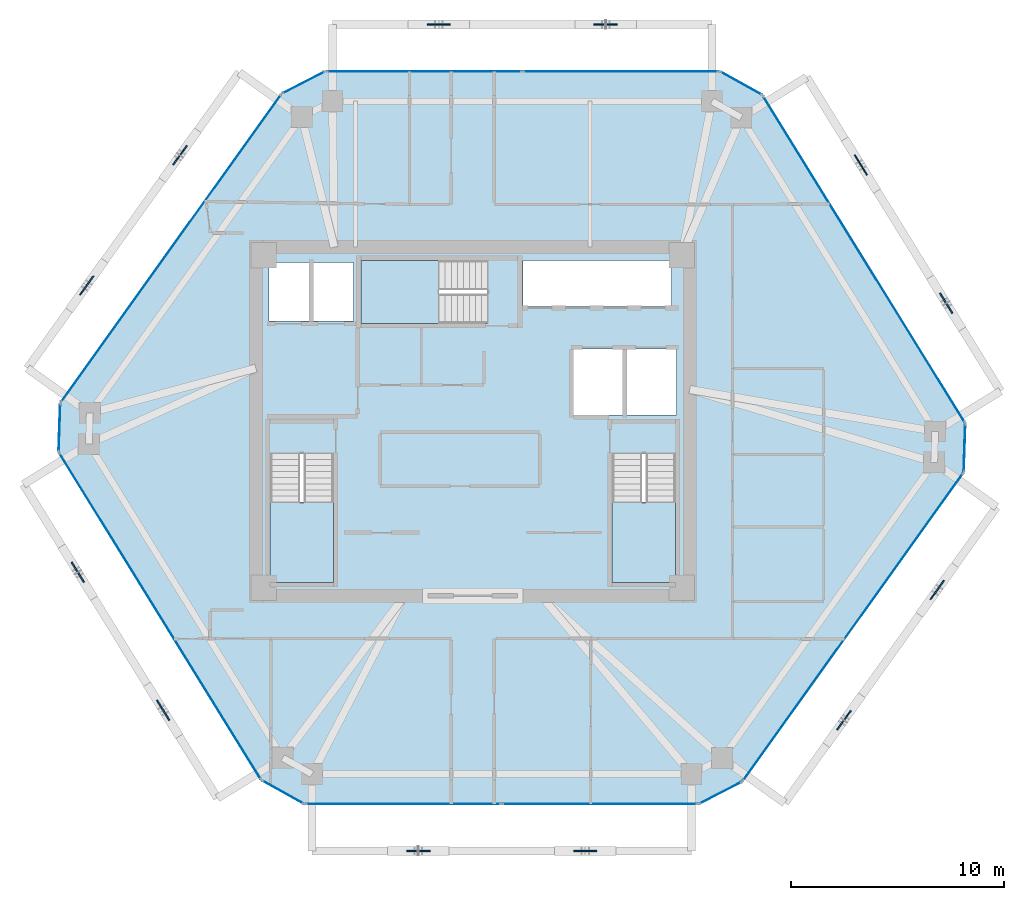
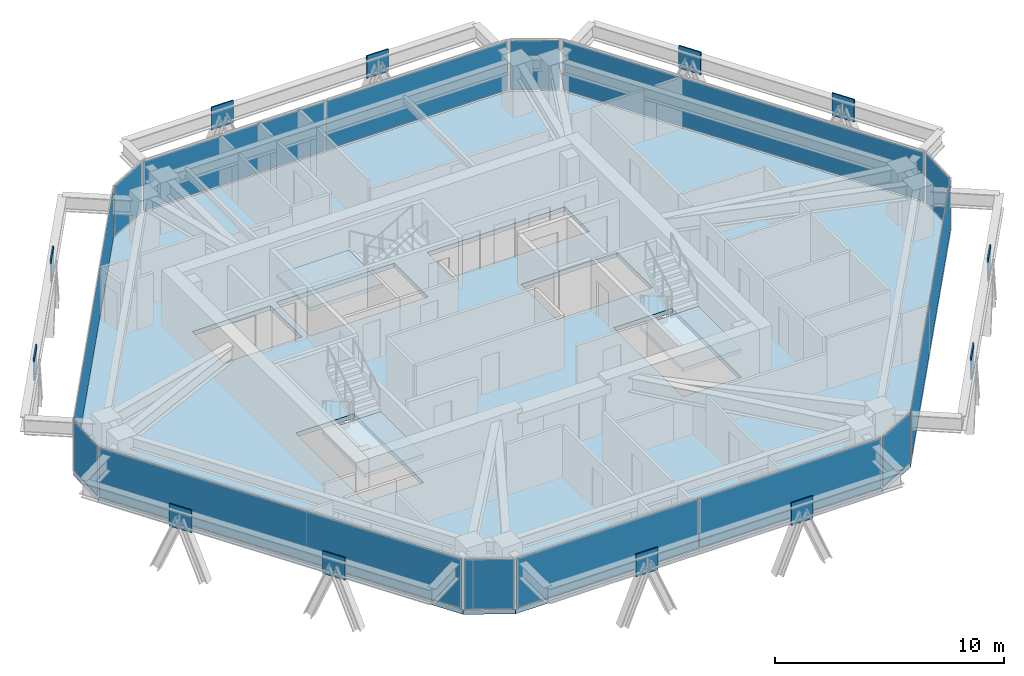
# One storey, part 7 of 14: 26 plates, 4 slabs, 15 elements without a shape of their own.
"""IFC4 building model written with IfcOpenShell, lengths in metres."""

from ifc_helpers import new_model, si_unit, direction, frame, origin, origin_2d, place, context, subcontext, project, spatial, polyline, rectangle, outline, extrude, source, transform, mapped, material, layer, layer_set, type_object, type_shapes, element, aggregate, save


model = new_model("IFC4")

# Units and contexts
model_context = context("Model", 3, precision=1e-05, world=origin(), true_north=direction((0.0, 1.0)))
body_context = subcontext(model_context, "Body", "Model", "MODEL_VIEW")
ifc_project = project(units=[si_unit("LENGTHUNIT", "METRE"), si_unit("AREAUNIT", "SQUARE_METRE"), si_unit("VOLUMEUNIT", "CUBIC_METRE"), si_unit("PLANEANGLEUNIT", "RADIAN"), si_unit("MASSUNIT", "GRAM", prefix="KILO")], contexts=[model_context])

# Site, building, storey
site_placement = place(None, origin())
site = spatial("IfcSite", under=ifc_project, at=site_placement, CompositionType="ELEMENT")
building_placement = place(site_placement, origin())
building = spatial("IfcBuilding", under=site, at=building_placement, Name="Durnholm Broadcast Tower", CompositionType="ELEMENT")
storey_placement = place(building_placement, frame((0.0, 0.0, 200.199951171875)))
storey = spatial("IfcBuildingStorey", under=building, at=storey_placement, Name="L55", CompositionType="ELEMENT", Elevation=200.199951171875)

# Slab
ifc_material_1 = material(Name="Concrete C50/60", Category="concrete")
ifc_layer_1 = layer(ifc_material_1, 0.239990234375)
ifc_layer_set_1 = layer_set([ifc_layer_1], Name="Concrete C50/60")
slab_type_1 = type_object("IfcSlabType", Name="SLAB-FLR-240", PredefinedType="FLOOR", material=ifc_layer_set_1)
slab_1_placement = place(storey_placement, frame((0.0, 0.0, -0.239990234375)))
element("IfcSlab", 1, at=slab_1_placement, inside=storey, type_object=slab_type_1, Name="L55 structural floor slab", PredefinedType="FLOOR", context=body_context, shape_type="SweptSolid", body=[
    extrude(outline(polyline([(-9.912353515625, -16.822021484375), (-7.9033203125, -17.94189453125), (10.59521484375, -17.94189453125), (12.64111328125, -16.890625), (23.022705078125, -2.390380859375), (23.1005859375, -0.091552734375), (13.59033203125, 15.2978515625), (11.581298828125, 16.41796875), (-6.917236328125, 16.41796875), (-8.962890625, 15.36669921875), (-19.3447265625, 0.8662109375), (-19.422607421875, -1.432373046875), (-9.912353515625, -16.822021484375)]), holes=[polyline([(-6.5400390625, -1.5), (-9.5, -1.5), (-9.5, -7.550048828125), (-6.5400390625, -7.550048828125), (-6.5400390625, -1.5)]), polyline([(9.5, -7.550048828125), (9.5, -1.5), (6.5400390625, -1.5), (6.5400390625, -7.550048828125), (9.5, -7.550048828125)]), polyline([(9.550048828125, 3.39990234375), (4.699951171875, 3.39990234375), (4.699951171875, 0.300048828125), (9.550048828125, 0.300048828125), (9.550048828125, 3.39990234375)]), polyline([(-9.550048828125, 7.449951171875), (-9.550048828125, 4.699951171875), (-5.60009765625, 4.699951171875), (-5.60009765625, 7.449951171875), (-9.550048828125, 7.449951171875)]), polyline([(-5.25, 4.60009765625), (0.699951171875, 4.60009765625), (0.699951171875, 7.56005859375), (-5.25, 7.56005859375), (-5.25, 4.60009765625)]), polyline([(9.31005859375, 7.550048828125), (2.35009765625, 7.550048828125), (2.35009765625, 5.39990234375), (9.31005859375, 5.39990234375), (9.31005859375, 7.550048828125)])]), origin(), (0.0, 0.0, 1.0), 0.239990234375),
])

# Stair, slab
stair_type = type_object("IfcStairType", Name="STAIR-DL-18R1667", PredefinedType="HALF_TURN_STAIR", material=ifc_material_1)
stair_1_placement = place(storey_placement, origin())
stair_1 = element("IfcStair", 2, at=stair_1_placement, inside=storey, type_object=stair_type, Name="L55 ST-1", PredefinedType="HALF_TURN_STAIR")
ifc_layer_2 = layer(ifc_material_1, 0.199951171875)
ifc_layer_set_2 = layer_set([ifc_layer_2], Name="Concrete C50/60")
slab_type_2 = type_object("IfcSlabType", Name="SLAB-LND-200", PredefinedType="LANDING", material=ifc_layer_set_2)
slab_2_placement = place(storey_placement, frame((0.0, 0.0, 1.300048828125)))
slab_2 = element("IfcSlab", 3, at=slab_2_placement, type_object=slab_type_2, Name="ST-1 landing 1", PredefinedType="LANDING", context=body_context, shape_type="SweptSolid", body=[
    extrude(outline(polyline([(-9.5, -3.780029296875), (-9.5, -7.550048828125), (-6.5400390625, -7.550048828125), (-6.5400390625, -3.780029296875), (-9.5, -3.780029296875)])), origin(), (0.0, 0.0, 1.0), 0.199951171875),
])
aggregate(stair_1, [slab_2])

stair_2_placement = place(storey_placement, origin())
stair_2 = element("IfcStair", 4, at=stair_2_placement, inside=storey, type_object=stair_type, Name="L55 ST-2", PredefinedType="HALF_TURN_STAIR")
slab_3_placement = place(storey_placement, frame((0.0, 0.0, 1.300048828125)))
slab_3 = element("IfcSlab", 5, at=slab_3_placement, type_object=slab_type_2, Name="ST-2 landing 1", PredefinedType="LANDING", context=body_context, shape_type="SweptSolid", body=[
    extrude(outline(polyline([(6.5400390625, -3.780029296875), (6.5400390625, -7.550048828125), (9.5, -7.550048828125), (9.5, -3.780029296875), (6.5400390625, -3.780029296875)])), origin(), (0.0, 0.0, 1.0), 0.199951171875),
])
aggregate(stair_2, [slab_3])

stair_3_placement = place(storey_placement, origin())
stair_3 = element("IfcStair", 6, at=stair_3_placement, inside=storey, type_object=stair_type, Name="L55 ST-3", PredefinedType="HALF_TURN_STAIR")
slab_4_placement = place(storey_placement, frame((0.0, 0.0, 1.300048828125)))
slab_4 = element("IfcSlab", 7, at=slab_4_placement, type_object=slab_type_2, Name="ST-3 landing 1", PredefinedType="LANDING", context=body_context, shape_type="SweptSolid", body=[
    extrude(outline(polyline([(-1.580078125, 7.56005859375), (-5.25, 7.56005859375), (-5.25, 4.60009765625), (-1.580078125, 4.60009765625), (-1.580078125, 7.56005859375)])), origin(), (0.0, 0.0, 1.0), 0.199951171875),
])
aggregate(stair_3, [slab_4])

# Plates
ifc_material_2 = material(Name="Steel ASTM A572 Grade 50", Category="steel")
ifc_layer_3 = layer(ifc_material_2, 0.06494140625)
ifc_layer_set_3 = layer_set([ifc_layer_3], Name="Steel ASTM A572 Grade 50")
plate_type_1 = type_object("IfcPlateType", Name="PLT-KN07-GUS", PredefinedType="USERDEFINED", material=ifc_layer_set_3)
shared_shape_1 = source(origin(), body_context, "Body", "SweptSolid", [
    extrude(rectangle(XDim=1.10009765625, YDim=0.06494140625, at=origin_2d()), origin(), (0.0, 0.0, 1.0), 1.199951171875),
])
type_shapes(plate_type_1, [shared_shape_1])
for number, where, z_axis, x_axis, name in (
    (8, (-2.556640625, -20.14208984375, 1.40869140625), (0.0, 0.0, 1.0), (1.0, 0.0, 0.0), "L55 welded diagrid node gusset plate KN07 F1"),
    (9, (5.273681640625, -20.14208984375, 1.40869140625), (0.0, 0.0, 1.0), (1.0, 0.0, 0.0), "L55 welded diagrid node gusset plate KN07 F1"),
    (10, (17.40966796875, -14.009521484375, 1.40869140625), (0.0, 0.0, 1.0), (0.582122970157, 0.813100761047, 0.0), "L55 welded diagrid node gusset plate KN07 F2"),
    (11, (21.782470703125, -7.90185546875, 1.40869140625), (0.0, 0.0, 1.0), (0.582122970157, 0.813100761047, 0.0), "L55 welded diagrid node gusset plate KN07 F2"),
    (12, (22.202392578125, 5.546875, 1.40869140625), (0.0, 0.0, 1.0), (-0.525768608156, 0.850627633385, 0.0), "L55 welded diagrid node gusset plate KN07 F3"),
    (13, (18.2001953125, 12.023193359375, 1.40869140625), (0.0, 0.0, 1.0), (-0.525768608156, 0.850627633385, 0.0), "L55 welded diagrid node gusset plate KN07 F3"),
    (14, (6.234619140625, 18.617919921875, 1.40869140625), (0.0, 0.0, 1.0), (-1.0, 0.0, 0.0), "L55 welded diagrid node gusset plate KN07 F4"),
    (15, (-1.595703125, 18.617919921875, 1.40869140625), (0.0, 0.0, 1.0), (-1.0, 0.0, 0.0), "L55 welded diagrid node gusset plate KN07 F4"),
    (16, (-13.731689453125, 12.485595703125, 1.40869140625), (0.0, 0.0, 1.0), (-0.582122970157, -0.813100761047, 0.0), "L55 welded diagrid node gusset plate KN07 F5"),
    (17, (-18.1044921875, 6.3779296875, 1.40869140625), (0.0, 0.0, 1.0), (-0.582122970157, -0.813100761047, 0.0), "L55 welded diagrid node gusset plate KN07 F5"),
    (18, (-18.5244140625, -7.07080078125, 1.40869140625), (0.0, 0.0, 1.0), (0.525768608156, -0.850627633385, 0.0), "L55 welded diagrid node gusset plate KN07 F6"),
    (19, (-14.522216796875, -13.54736328125, 1.40869140625), (0.0, 0.0, 1.0), (0.525768608156, -0.850627633385, 0.0), "L55 welded diagrid node gusset plate KN07 F6"),
):
    element("IfcPlate", number, at=place(storey_placement, frame(where, z_axis=z_axis, x_axis=x_axis)), inside=storey, type_object=plate_type_1, Name=name, ObjectType="GUSSET_PLATE", PredefinedType="USERDEFINED", context=body_context, shape_type="MappedRepresentation", body=[
        mapped(shared_shape_1, transform((0.0, 0.0, 0.0), x_axis=(1.0, 0.0, 0.0), y_axis=(0.0, 1.0, 0.0), z_axis=(0.0, 0.0, 1.0), scale=1.0)),
    ])

# Curtain wall, plate
ifc_material_3 = material(Name="Aluminium and Solar Control IGU", Category="aluminium")
ifc_layer_4 = layer(ifc_material_3, 0.1650390625)
ifc_layer_set_4 = layer_set([ifc_layer_4], Name="Aluminium and Solar Control IGU")
curtain_wall_type_1 = type_object("IfcCurtainWallType", Name="CW-SYS-5", PredefinedType="NOTDEFINED", material=ifc_layer_set_4)
curtain_wall_1_placement = place(storey_placement, origin())
curtain_wall_1 = element("IfcCurtainWall", 20, at=curtain_wall_1_placement, inside=storey, type_object=curtain_wall_type_1, Name="L55 curtain wall CW-CORNER CW-L55-CRN-01", PredefinedType="NOTDEFINED")
ifc_material_4 = material(Name="Low-E Laminated Insulating Glass", Category="glass")
ifc_layer_5 = layer(ifc_material_4, 0.030029296875)
ifc_layer_set_5 = layer_set([ifc_layer_5], Name="Low-E Laminated Insulating Glass")
plate_type_2 = type_object("IfcPlateType", Name="CW-SYS-5-PNL", PredefinedType="CURTAIN_PANEL", material=ifc_layer_set_5)
shared_shape_2 = source(origin(), body_context, "Body", "SweptSolid", [
    extrude(rectangle(XDim=2.169921875, YDim=0.030029296875, at=origin_2d()), origin(), (0.0, 0.0, 1.0), 2.6298828125),
])
plate_1_placement = place(storey_placement, frame((-19.3837890625, -0.282958984375, 0.065185546875), z_axis=(0.0, 0.0, 1.0), x_axis=(0.033912704699, 0.999424798802, 0.0)))
plate_1 = element("IfcPlate", 21, at=plate_1_placement, type_object=plate_type_2, Name="CW-CORNER panel 1.1", PredefinedType="CURTAIN_PANEL", context=body_context, shape_type="MappedRepresentation", body=[
    mapped(shared_shape_2, transform((0.0, 0.0, 0.0), x_axis=(1.0, 0.0, 0.0), y_axis=(0.0, 1.0, 0.0), z_axis=(0.0, 0.0, 1.0), scale=1.0)),
])
aggregate(curtain_wall_1, [plate_1])

curtain_wall_2_placement = place(storey_placement, origin())
curtain_wall_2 = element("IfcCurtainWall", 22, at=curtain_wall_2_placement, inside=storey, type_object=curtain_wall_type_1, Name="L55 curtain wall CW-CORNER CW-L55-CRN-03", PredefinedType="NOTDEFINED")
plate_2_placement = place(storey_placement, frame((-7.940185546875, 15.892333984375, 0.065185546875), z_axis=(0.0, 0.0, 1.0), x_axis=(0.889424679545, 0.457081764476, 0.0)))
plate_2 = element("IfcPlate", 23, at=plate_2_placement, type_object=plate_type_2, Name="CW-CORNER panel 1.1", PredefinedType="CURTAIN_PANEL", context=body_context, shape_type="MappedRepresentation", body=[
    mapped(shared_shape_2, transform((0.0, 0.0, 0.0), x_axis=(1.0, 0.0, 0.0), y_axis=(0.0, 1.0, 0.0), z_axis=(0.0, 0.0, 1.0), scale=1.0)),
])
aggregate(curtain_wall_2, [plate_2])

curtain_wall_3_placement = place(storey_placement, origin())
curtain_wall_3 = element("IfcCurtainWall", 24, at=curtain_wall_3_placement, inside=storey, type_object=curtain_wall_type_1, Name="L55 curtain wall CW-CORNER CW-L55-CRN-07", PredefinedType="NOTDEFINED")
plate_3_placement = place(storey_placement, frame((23.061767578125, -1.240966796875, 0.065185546875), z_axis=(0.0, 0.0, 1.0), x_axis=(-0.033912704699, -0.999424798802, 0.0)))
plate_3 = element("IfcPlate", 25, at=plate_3_placement, type_object=plate_type_2, Name="CW-CORNER panel 1.1", PredefinedType="CURTAIN_PANEL", context=body_context, shape_type="MappedRepresentation", body=[
    mapped(shared_shape_2, transform((0.0, 0.0, 0.0), x_axis=(1.0, 0.0, 0.0), y_axis=(0.0, 1.0, 0.0), z_axis=(0.0, 0.0, 1.0), scale=1.0)),
])
aggregate(curtain_wall_3, [plate_3])

curtain_wall_4_placement = place(storey_placement, origin())
curtain_wall_4 = element("IfcCurtainWall", 26, at=curtain_wall_4_placement, inside=storey, type_object=curtain_wall_type_1, Name="L55 curtain wall CW-CORNER CW-L55-CRN-09", PredefinedType="NOTDEFINED")
plate_4_placement = place(storey_placement, frame((11.6181640625, -17.416259765625, 0.065185546875), z_axis=(0.0, 0.0, 1.0), x_axis=(-0.889424679545, -0.457081764476, 0.0)))
plate_4 = element("IfcPlate", 27, at=plate_4_placement, type_object=plate_type_2, Name="CW-CORNER panel 1.1", PredefinedType="CURTAIN_PANEL", context=body_context, shape_type="MappedRepresentation", body=[
    mapped(shared_shape_2, transform((0.0, 0.0, 0.0), x_axis=(1.0, 0.0, 0.0), y_axis=(0.0, 1.0, 0.0), z_axis=(0.0, 0.0, 1.0), scale=1.0)),
])
aggregate(curtain_wall_4, [plate_4])

ifc_layer_6 = layer(ifc_material_3, 0.18994140625)
ifc_layer_set_6 = layer_set([ifc_layer_6], Name="Aluminium and Solar Control IGU")
curtain_wall_type_2 = type_object("IfcCurtainWallType", Name="CW-SYS-4", PredefinedType="NOTDEFINED", material=ifc_layer_set_6)
curtain_wall_5_placement = place(storey_placement, origin())
curtain_wall_5 = element("IfcCurtainWall", 28, at=curtain_wall_5_placement, inside=storey, type_object=curtain_wall_type_2, Name="L55 curtain wall CW-Z34-VIS CW-L55-F02", PredefinedType="NOTDEFINED")
ifc_layer_7 = layer(ifc_material_4, 0.033935546875)
ifc_layer_set_7 = layer_set([ifc_layer_7], Name="Low-E Laminated Insulating Glass")
plate_type_3 = type_object("IfcPlateType", Name="CW-SYS-4-PNL", PredefinedType="CURTAIN_PANEL", material=ifc_layer_set_7)
shared_shape_3 = source(origin(), body_context, "Body", "SweptSolid", [
    extrude(rectangle(XDim=17.693603515625, YDim=0.033935546875, at=origin_2d()), origin(), (0.0, 0.0, 1.0), 2.6201171875),
])
plate_5_placement = place(storey_placement, frame((-14.15380859375, 8.116455078125, 0.070068359375), z_axis=(0.0, 0.0, 1.0), x_axis=(0.582139030549, 0.813089262696, 0.0)))
plate_5 = element("IfcPlate", 29, at=plate_5_placement, type_object=plate_type_3, Name="CW-Z34-VIS panel 1.1", PredefinedType="CURTAIN_PANEL", context=body_context, shape_type="MappedRepresentation", body=[
    mapped(shared_shape_3, transform((0.0, 0.0, 0.0), x_axis=(1.0, 0.0, 0.0), y_axis=(0.0, 1.0, 0.0), z_axis=(0.0, 0.0, 1.0), scale=1.0)),
])
aggregate(curtain_wall_5, [plate_5])

curtain_wall_6_placement = place(storey_placement, origin())
curtain_wall_6 = element("IfcCurtainWall", 30, at=curtain_wall_6_placement, inside=storey, type_object=curtain_wall_type_2, Name="L55 curtain wall CW-Z34-VIS CW-L55-F08", PredefinedType="NOTDEFINED")
plate_6_placement = place(storey_placement, frame((17.831787109375, -9.640380859375, 0.070068359375), z_axis=(0.0, 0.0, 1.0), x_axis=(-0.582139030549, -0.813089262696, 0.0)))
plate_6 = element("IfcPlate", 31, at=plate_6_placement, type_object=plate_type_3, Name="CW-Z34-VIS panel 1.1", PredefinedType="CURTAIN_PANEL", context=body_context, shape_type="MappedRepresentation", body=[
    mapped(shared_shape_3, transform((0.0, 0.0, 0.0), x_axis=(1.0, 0.0, 0.0), y_axis=(0.0, 1.0, 0.0), z_axis=(0.0, 0.0, 1.0), scale=1.0)),
])
aggregate(curtain_wall_6, [plate_6])

# Curtain wall, plates
curtain_wall_7_placement = place(storey_placement, origin())
curtain_wall_7 = element("IfcCurtainWall", 32, at=curtain_wall_7_placement, inside=storey, type_object=curtain_wall_type_2, Name="L55 curtain wall CW-Z34-VIS CW-L55-F04", PredefinedType="NOTDEFINED")
shared_shape_4 = source(origin(), body_context, "Body", "SweptSolid", [
    extrude(rectangle(XDim=9.144287109375, YDim=0.033935546875, at=origin_2d()), origin(), (0.0, 0.0, 1.0), 2.6201171875),
])
plate_7_placement = place(storey_placement, frame((-2.275146484375, 16.41796875, 0.070068359375), z_axis=(0.0, 0.0, 1.0), x_axis=(1.0, 0.0, 0.0)))
plate_7 = element("IfcPlate", 33, at=plate_7_placement, type_object=plate_type_3, Name="CW-Z34-VIS panel 1.1", PredefinedType="CURTAIN_PANEL", context=body_context, shape_type="MappedRepresentation", body=[
    mapped(shared_shape_4, transform((0.0, 0.0, 0.0), x_axis=(1.0, 0.0, 0.0), y_axis=(0.0, 1.0, 0.0), z_axis=(0.0, 0.0, 1.0), scale=1.0)),
])
plate_8_placement = place(storey_placement, frame((6.939208984375, 16.41796875, 0.070068359375), z_axis=(0.0, 0.0, 1.0), x_axis=(1.0, 0.0, 0.0)))
plate_8 = element("IfcPlate", 34, at=plate_8_placement, type_object=plate_type_3, Name="CW-Z34-VIS panel 2.1", PredefinedType="CURTAIN_PANEL", context=body_context, shape_type="MappedRepresentation", body=[
    mapped(shared_shape_4, transform((0.0, 0.0, 0.0), x_axis=(1.0, 0.0, 0.0), y_axis=(0.0, 1.0, 0.0), z_axis=(0.0, 0.0, 1.0), scale=1.0)),
])
aggregate(curtain_wall_7, [plate_7, plate_8])

curtain_wall_8_placement = place(storey_placement, origin())
curtain_wall_8 = element("IfcCurtainWall", 35, at=curtain_wall_8_placement, inside=storey, type_object=curtain_wall_type_2, Name="L55 curtain wall CW-Z34-VIS CW-L55-F10", PredefinedType="NOTDEFINED")
plate_9_placement = place(storey_placement, frame((5.953125, -17.94189453125, 0.070068359375), z_axis=(0.0, 0.0, 1.0), x_axis=(-1.0, 0.0, 0.0)))
plate_9 = element("IfcPlate", 36, at=plate_9_placement, type_object=plate_type_3, Name="CW-Z34-VIS panel 1.1", PredefinedType="CURTAIN_PANEL", context=body_context, shape_type="MappedRepresentation", body=[
    mapped(shared_shape_4, transform((0.0, 0.0, 0.0), x_axis=(1.0, 0.0, 0.0), y_axis=(0.0, 1.0, 0.0), z_axis=(0.0, 0.0, 1.0), scale=1.0)),
])
plate_10_placement = place(storey_placement, frame((-3.26123046875, -17.94189453125, 0.070068359375), z_axis=(0.0, 0.0, 1.0), x_axis=(-1.0, 0.0, 0.0)))
plate_10 = element("IfcPlate", 37, at=plate_10_placement, type_object=plate_type_3, Name="CW-Z34-VIS panel 2.1", PredefinedType="CURTAIN_PANEL", context=body_context, shape_type="MappedRepresentation", body=[
    mapped(shared_shape_4, transform((0.0, 0.0, 0.0), x_axis=(1.0, 0.0, 0.0), y_axis=(0.0, 1.0, 0.0), z_axis=(0.0, 0.0, 1.0), scale=1.0)),
])
aggregate(curtain_wall_8, [plate_9, plate_10])

# Curtain wall, plate
curtain_wall_9_placement = place(storey_placement, origin())
curtain_wall_9 = element("IfcCurtainWall", 38, at=curtain_wall_9_placement, inside=storey, type_object=curtain_wall_type_1, Name="L55 curtain wall CW-CORNER CW-L55-CRN-05", PredefinedType="NOTDEFINED")
shared_shape_5 = source(origin(), body_context, "Body", "SweptSolid", [
    extrude(rectangle(XDim=2.170166015625, YDim=0.030029296875, at=origin_2d()), origin(), (0.0, 0.0, 1.0), 2.6298828125),
])
type_shapes(plate_type_2, [shared_shape_2, shared_shape_5])
plate_11_placement = place(storey_placement, frame((12.5859375, 15.85791015625, 0.065185546875), z_axis=(0.0, 0.0, 1.0), x_axis=(0.873409751271, -0.486986043316, 0.0)))
plate_11 = element("IfcPlate", 39, at=plate_11_placement, type_object=plate_type_2, Name="CW-CORNER panel 1.1", PredefinedType="CURTAIN_PANEL", context=body_context, shape_type="MappedRepresentation", body=[
    mapped(shared_shape_5, transform((0.0, 0.0, 0.0), x_axis=(1.0, 0.0, 0.0), y_axis=(0.0, 1.0, 0.0), z_axis=(0.0, 0.0, 1.0), scale=1.0)),
])
aggregate(curtain_wall_9, [plate_11])

curtain_wall_10_placement = place(storey_placement, origin())
curtain_wall_10 = element("IfcCurtainWall", 40, at=curtain_wall_10_placement, inside=storey, type_object=curtain_wall_type_1, Name="L55 curtain wall CW-CORNER CW-L55-CRN-11", PredefinedType="NOTDEFINED")
plate_12_placement = place(storey_placement, frame((-8.907958984375, -17.3818359375, 0.065185546875), z_axis=(0.0, 0.0, 1.0), x_axis=(-0.873409751271, 0.486986043316, 0.0)))
plate_12 = element("IfcPlate", 41, at=plate_12_placement, type_object=plate_type_2, Name="CW-CORNER panel 1.1", PredefinedType="CURTAIN_PANEL", context=body_context, shape_type="MappedRepresentation", body=[
    mapped(shared_shape_5, transform((0.0, 0.0, 0.0), x_axis=(1.0, 0.0, 0.0), y_axis=(0.0, 1.0, 0.0), z_axis=(0.0, 0.0, 1.0), scale=1.0)),
])
aggregate(curtain_wall_10, [plate_12])

curtain_wall_11_placement = place(storey_placement, origin())
curtain_wall_11 = element("IfcCurtainWall", 42, at=curtain_wall_11_placement, inside=storey, type_object=curtain_wall_type_2, Name="L55 curtain wall CW-Z34-VIS CW-L55-F06", PredefinedType="NOTDEFINED")
shared_shape_6 = source(origin(), body_context, "Body", "SweptSolid", [
    extrude(rectangle(XDim=17.950927734375, YDim=0.033935546875, at=origin_2d()), origin(), (0.0, 0.0, 1.0), 2.6201171875),
])
type_shapes(plate_type_3, [shared_shape_3, shared_shape_4, shared_shape_6])
plate_13_placement = place(storey_placement, frame((18.345458984375, 7.603271484375, 0.070068359375), z_axis=(0.0, 0.0, 1.0), x_axis=(0.525697750452, -0.850671426092, 0.0)))
plate_13 = element("IfcPlate", 43, at=plate_13_placement, type_object=plate_type_3, Name="CW-Z34-VIS panel 1.1", PredefinedType="CURTAIN_PANEL", context=body_context, shape_type="MappedRepresentation", body=[
    mapped(shared_shape_6, transform((0.0, 0.0, 0.0), x_axis=(1.0, 0.0, 0.0), y_axis=(0.0, 1.0, 0.0), z_axis=(0.0, 0.0, 1.0), scale=1.0)),
])
aggregate(curtain_wall_11, [plate_13])

curtain_wall_12_placement = place(storey_placement, origin())
curtain_wall_12 = element("IfcCurtainWall", 44, at=curtain_wall_12_placement, inside=storey, type_object=curtain_wall_type_2, Name="L55 curtain wall CW-Z34-VIS CW-L55-F12", PredefinedType="NOTDEFINED")
plate_14_placement = place(storey_placement, frame((-14.66748046875, -9.127197265625, 0.070068359375), z_axis=(0.0, 0.0, 1.0), x_axis=(-0.525697750452, 0.850671426092, 0.0)))
plate_14 = element("IfcPlate", 45, at=plate_14_placement, type_object=plate_type_3, Name="CW-Z34-VIS panel 1.1", PredefinedType="CURTAIN_PANEL", context=body_context, shape_type="MappedRepresentation", body=[
    mapped(shared_shape_6, transform((0.0, 0.0, 0.0), x_axis=(1.0, 0.0, 0.0), y_axis=(0.0, 1.0, 0.0), z_axis=(0.0, 0.0, 1.0), scale=1.0)),
])
aggregate(curtain_wall_12, [plate_14])

save(model, "model.ifc")
